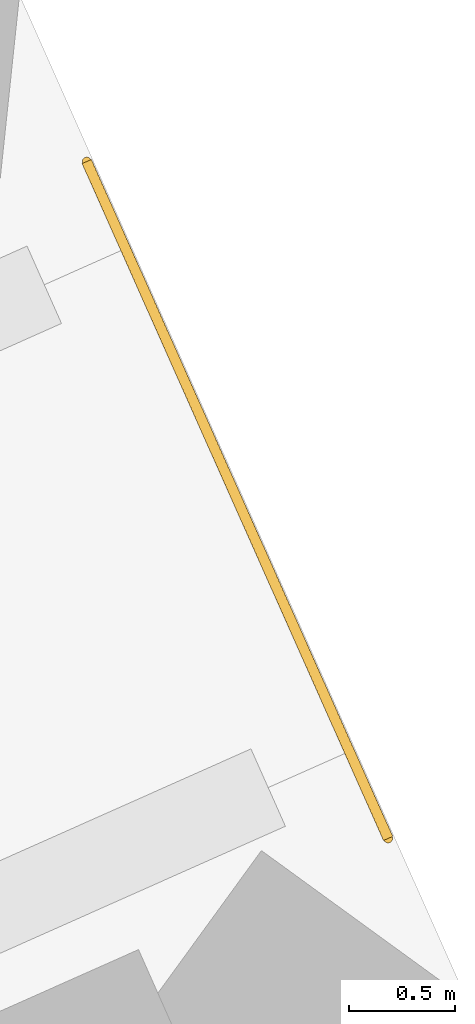
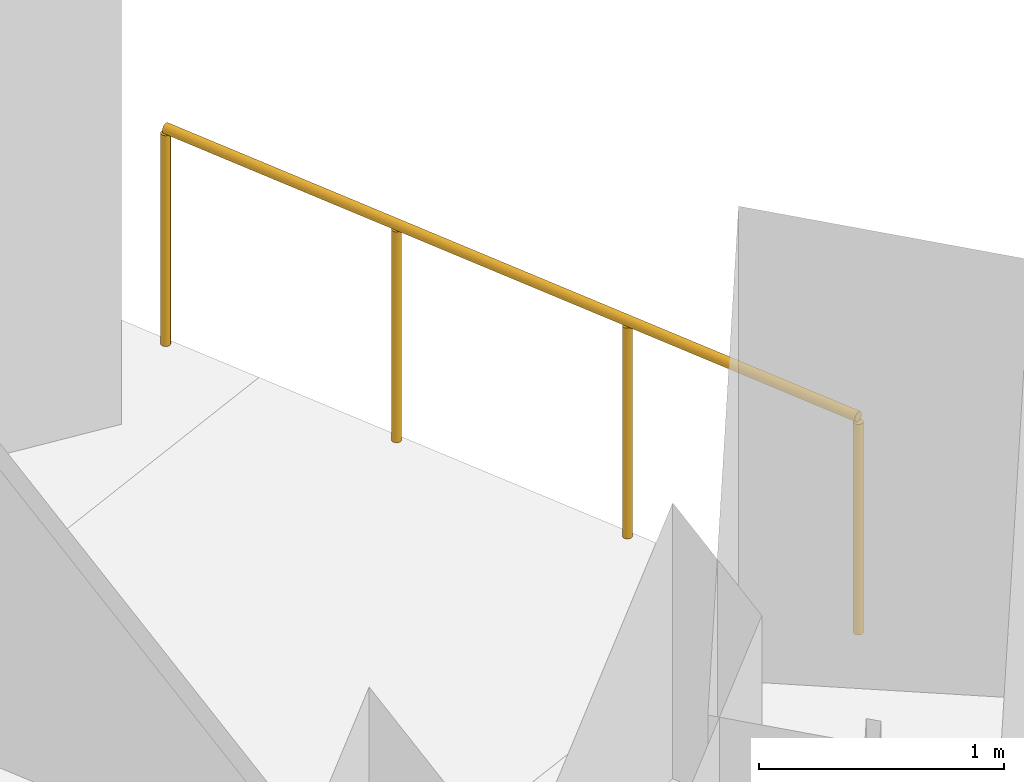
# One storey, part 14 of 15: 1 railing.
"""IFC4 building model written with IfcOpenShell, lengths in metres."""

from ifc_helpers import new_model, si_unit, direction, frame, origin, origin_2d, place, context, subcontext, project, spatial, circle, extrude, material, type_object, element, save


model = new_model("IFC4")

# Units and contexts
model_context = context("Model", 3, precision=1e-05, world=origin(), true_north=direction((0.0, 1.0)))
body_context = subcontext(model_context, "Body", "Model", "MODEL_VIEW")
ifc_project = project(units=[si_unit("LENGTHUNIT", "METRE"), si_unit("AREAUNIT", "SQUARE_METRE"), si_unit("VOLUMEUNIT", "CUBIC_METRE"), si_unit("PLANEANGLEUNIT", "RADIAN"), si_unit("MASSUNIT", "GRAM", prefix="KILO")], contexts=[model_context])

# Site, building, storey
site_placement = place(None, origin())
site = spatial("IfcSite", under=ifc_project, at=site_placement, CompositionType="ELEMENT")
building_placement = place(site_placement, origin())
building = spatial("IfcBuilding", under=site, at=building_placement, Name="Tramontana Tower", CompositionType="ELEMENT")
storey_placement = place(building_placement, frame((0.0, 0.0, 237.199951171875)))
storey = spatial("IfcBuildingStorey", under=building, at=storey_placement, Name="L55", CompositionType="ELEMENT", Elevation=237.199951171875)

# Railing
ifc_material = material(Name="Laminated glass balustrade", Category="glass")
railing_type = type_object("IfcRailingType", Name="GD1 Loggia glass balustrade 1100", PredefinedType="BALUSTRADE", material=ifc_material)
railing_placement = place(storey_placement, frame((24.38330078125, 12.771728515625, 0.0)))
element("IfcRailing", 1, at=railing_placement, inside=storey, type_object=railing_type, Name="Corner loggia balustrade L55 K62", PredefinedType="BALUSTRADE", context=body_context, shape_type="SweptSolid", body=[
    extrude(circle(Radius=0.02392578125, at=origin_2d()), frame((0.0, 0.0, 1.076171875), z_axis=(0.406753242783, -0.913538066796, 0.0), x_axis=(0.913538066796, 0.406753242783, 0.0)), (0.0, 0.0, 1.0), 3.499755859375),
    extrude(circle(Radius=0.02099609375, at=origin_2d()), origin(), (0.0, 0.0, 1.0), 1.052001953125),
    extrude(circle(Radius=0.02099609375, at=origin_2d()), frame((0.474609375, -1.065673828125, 0.0)), (0.0, 0.0, 1.0), 1.052001953125),
    extrude(circle(Radius=0.02099609375, at=origin_2d()), frame((0.948974609375, -2.131591796875, 0.0)), (0.0, 0.0, 1.0), 1.052001953125),
    extrude(circle(Radius=0.02099609375, at=origin_2d()), frame((1.423583984375, -3.197265625, 0.0)), (0.0, 0.0, 1.0), 1.052001953125),
])

save(model, "model.ifc")
